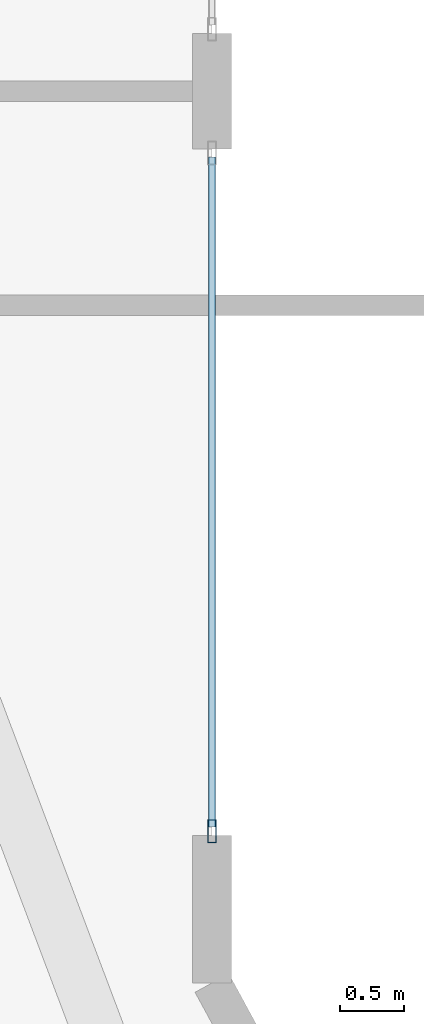
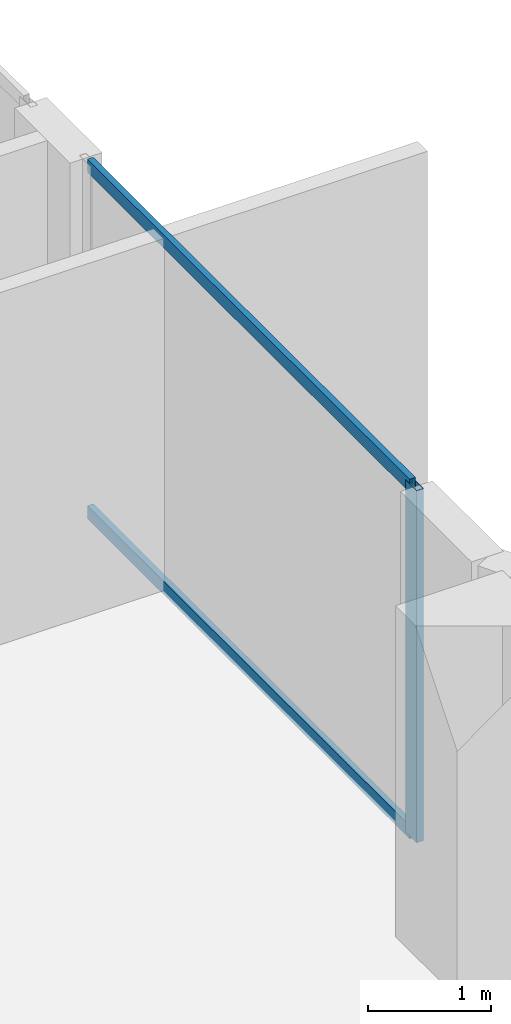
# One storey, part 12 of 28: 3 members, 1 element without a shape of its own.
"""IFC4 building model written with IfcOpenShell, lengths in metres."""

import ifcopenshell
import ifcopenshell.guid

model = None  # the IFC model being written
_history = None  # IfcOwnerHistory: only IFC2X3 demands one
_inside = {}  # id of a spatial element -> (the spatial element, [elements in it])
_under = {}  # id of a project, library or spatial element -> (it, [spatial elements below it])
_declared = {}  # id of a project -> (the project, [libraries it declares])
_typed = {}  # id of a type object -> (the type object, [elements of that type])
_made_of = {}  # id of a material, layer set ... -> (it, [elements and type objects made of it])


def new_model(schema):
    """Start an empty IFC model of exactly this schema.

    Asked for "IFC4X3", IfcOpenShell would pick the latest addendum, in which some entities
    have other attributes; the version numbers below select the first issue.
    IFC2X3 requires an IfcOwnerHistory on every rooted entity: one is made here for all.
    """
    global model, _history
    if schema == "IFC4X3":
        model = ifcopenshell.file(schema_version=(4, 3, 0, 0))
    else:
        model = ifcopenshell.file(schema=schema)
    _inside.clear()
    _under.clear()
    _declared.clear()
    _typed.clear()
    _made_of.clear()
    _history = None
    if model.schema == "IFC2X3":
        org = make("IfcOrganization", Name="unknown")
        user = make(
            "IfcPersonAndOrganization",
            ThePerson=make("IfcPerson", FamilyName="unknown"),
            TheOrganization=org,
        )
        app = make(
            "IfcApplication",
            ApplicationDeveloper=org,
            Version="unknown",
            ApplicationFullName="unknown",
            ApplicationIdentifier="unknown",
        )
        _history = make(
            "IfcOwnerHistory",
            OwningUser=user,
            OwningApplication=app,
            ChangeAction="ADDED",
            CreationDate=0,
        )
    return model


def make(cls, **values):
    """One entity of the class cls with the attributes given. An attribute that is None is left unset."""
    return model.create_entity(
        cls, **{name: value for name, value in values.items() if value is not None}
    )


def rooted(cls, **values):
    """An entity with a GlobalId (a new one), such as an element, a storey or a relation."""
    return make(cls, GlobalId=ifcopenshell.guid.new(), OwnerHistory=_history, **values)


def si_unit(unit_type, name, prefix=None):
    """IfcSIUnit, for example si_unit("LENGTHUNIT", "METRE", prefix="MILLI")."""
    return make("IfcSIUnit", UnitType=unit_type, Prefix=prefix, Name=name)


def assignment(units):
    """IfcUnitAssignment: the units of a project."""
    return None if units is None else make("IfcUnitAssignment", Units=units)


def point(xyz):
    """IfcCartesianPoint."""
    return None if xyz is None else make("IfcCartesianPoint", Coordinates=xyz)


def direction(xyz):
    """IfcDirection."""
    return None if xyz is None else make("IfcDirection", DirectionRatios=xyz)


def frame(location, z_axis=None, x_axis=None):
    """IfcAxis2Placement3D, a coordinate frame: its origin and axes. An axis left out is left unset."""
    return make(
        "IfcAxis2Placement3D",
        Location=point(location),
        Axis=direction(z_axis),
        RefDirection=direction(x_axis),
    )


def frame_2d(location, x_axis=None):
    """IfcAxis2Placement2D, a coordinate frame in the plane: its origin and x axis."""
    return make(
        "IfcAxis2Placement2D", Location=point(location), RefDirection=direction(x_axis)
    )


def origin():
    """The frame at (0, 0, 0) with its axes left unset."""
    return frame((0.0, 0.0, 0.0))


def origin_2d():
    """The frame at (0, 0) in the plane with its x axis left unset."""
    return frame_2d((0.0, 0.0))


def place(relative_to, where):
    """IfcLocalPlacement: puts the frame where relative to a parent placement (None: the world)."""
    return make(
        "IfcLocalPlacement", PlacementRelTo=relative_to, RelativePlacement=where
    )


def context(
    kind, dimensions, precision=None, world=None, true_north=None, identifier=None
):
    """IfcGeometricRepresentationContext, for example the 3D "Model" context."""
    return make(
        "IfcGeometricRepresentationContext",
        ContextIdentifier=identifier,
        ContextType=kind,
        CoordinateSpaceDimension=dimensions,
        Precision=precision,
        WorldCoordinateSystem=world,
        TrueNorth=true_north,
    )


def subcontext(parent, identifier, kind, view, scale=None):
    """IfcGeometricRepresentationSubContext, for example "Body" below "Model"."""
    return make(
        "IfcGeometricRepresentationSubContext",
        ContextIdentifier=identifier,
        ContextType=kind,
        ParentContext=parent,
        TargetScale=scale,
        TargetView=view,
    )


def project(units=None, contexts=None):
    """IfcProject with its units and contexts."""
    return rooted(
        "IfcProject",
        Name="project",
        RepresentationContexts=contexts,
        UnitsInContext=assignment(units),
    )


def spatial(cls, under=None, at=None, **own):
    """A site, building, storey or space (cls), placed at a placement, below another one or the project."""
    s = rooted(cls, ObjectPlacement=at, **own)
    if under is not None:
        _under.setdefault(under.id(), (under, []))[1].append(s)
    return s


def profile(cls, at=None, kind="AREA", **sizes):
    """A parametric profile (cls). Its sizes go by their IFC names, for example OverallWidth=200.0."""
    return make(cls, ProfileType=kind, Position=at, **sizes)


def hollow_rectangle(**sizes):
    """IfcRectangleHollowProfileDef."""
    return profile("IfcRectangleHollowProfileDef", **sizes)


def extrude(swept, where, along, depth):
    """IfcExtrudedAreaSolid: the profile swept, set in the frame where, extruded along a direction by depth."""
    return make(
        "IfcExtrudedAreaSolid",
        SweptArea=swept,
        Position=where,
        ExtrudedDirection=direction(along),
        Depth=depth,
    )


def shape(context_of_items, identifier, shape_type, items):
    """IfcShapeRepresentation: the items that make up one representation, for example the "Body"."""
    return make(
        "IfcShapeRepresentation",
        ContextOfItems=context_of_items,
        RepresentationIdentifier=identifier,
        RepresentationType=shape_type,
        Items=items,
    )


def material(Name=None, Category=None):
    """IfcMaterial."""
    return make("IfcMaterial", Name=Name, Category=Category)


def layer(
    of_material, thickness, ventilated=None, Name=None, Category=None, Priority=None
):
    """IfcMaterialLayer: one layer of a wall or slab, of a material (None: an air gap)."""
    return make(
        "IfcMaterialLayer",
        Material=of_material,
        LayerThickness=thickness,
        IsVentilated=ventilated,
        Name=Name,
        Category=Category,
        Priority=Priority,
    )


def layer_set(layers, Name=None):
    """IfcMaterialLayerSet."""
    return make("IfcMaterialLayerSet", MaterialLayers=layers, LayerSetName=Name)


def material_profile(
    of_material, cross_section, Name=None, Category=None, Priority=None
):
    """IfcMaterialProfile: a cross section and its material."""
    return make(
        "IfcMaterialProfile",
        Name=Name,
        Material=of_material,
        Profile=cross_section,
        Priority=Priority,
        Category=Category,
    )


def profile_set(profiles, Name=None, composite=None):
    """IfcMaterialProfileSet."""
    return make(
        "IfcMaterialProfileSet",
        Name=Name,
        MaterialProfiles=profiles,
        CompositeProfile=composite,
    )


def made_of(thing, what):
    """Note that an element or type object is made of a material, layer set ...; save() writes the relation."""
    if what is not None:
        _made_of.setdefault(what.id(), (what, []))[1].append(thing)
    return thing


def type_object(cls, material=None, **own):
    """A type object (cls), such as IfcWallType, which elements share."""
    return made_of(rooted(cls, **own), material)


def element(
    cls,
    number,
    at=None,
    inside=None,
    cuts=None,
    type_object=None,
    material=None,
    context=None,
    identifier="Body",
    shape_type=None,
    held_by="IfcProductDefinitionShape",
    body=None,
    shapes=None,
    **own,
):
    """One element of the class cls, such as IfcWall. Its Tag is "e" and its number.

    at: its placement. inside: the storey or other place that contains it. cuts: it is an
    opening in that element (IfcRelVoidsElement). A single representation is given by context,
    identifier, shape_type and body (its items); several are given by shapes. held_by: the class
    of the entity that holds the representations. save() writes the other relations.
    """
    e = rooted(cls, Tag="e%d" % number, ObjectPlacement=at, **own)
    if body is not None:
        shapes = [shape(context, identifier, shape_type, body)]
    if shapes is not None:
        e.Representation = make(held_by, Representations=shapes)
    if inside is not None:
        _inside.setdefault(inside.id(), (inside, []))[1].append(e)
    if cuts is not None:
        rooted(
            "IfcRelVoidsElement", RelatingBuildingElement=cuts, RelatedOpeningElement=e
        )
    if type_object is not None:
        _typed.setdefault(type_object.id(), (type_object, []))[1].append(e)
    return made_of(e, material)


def aggregate(whole, parts):
    """IfcRelAggregates: a whole, such as a stair, and the parts it consists of."""
    return rooted("IfcRelAggregates", RelatingObject=whole, RelatedObjects=parts)


def save(model, path):
    """Write the relations noted so far, then the file.

    IfcRelAggregates (storeys below a building ...), IfcRelContainedInSpatialStructure (elements
    in a storey), IfcRelDefinesByType, IfcRelAssociatesMaterial and IfcRelDeclares: one each for
    every whole, place, type object, material and project.
    """
    for whole, parts in _under.values():
        aggregate(whole, parts)
    for where, things in _inside.values():
        rooted(
            "IfcRelContainedInSpatialStructure",
            RelatedElements=things,
            RelatingStructure=where,
        )
    for kind, things in _typed.values():
        rooted("IfcRelDefinesByType", RelatedObjects=things, RelatingType=kind)
    for what, things in _made_of.values():
        rooted("IfcRelAssociatesMaterial", RelatedObjects=things, RelatingMaterial=what)
    for by, libraries in _declared.values():
        rooted("IfcRelDeclares", RelatingContext=by, RelatedDefinitions=libraries)
    model.write(path)


model = new_model("IFC4")

# Units and contexts
model_context = context("Model", 3, precision=1e-05, world=origin(), true_north=direction((0.0, 1.0)))
body_context = subcontext(model_context, "Body", "Model", "MODEL_VIEW")
ifc_project = project(units=[si_unit("LENGTHUNIT", "METRE"), si_unit("AREAUNIT", "SQUARE_METRE"), si_unit("VOLUMEUNIT", "CUBIC_METRE"), si_unit("PLANEANGLEUNIT", "RADIAN"), si_unit("MASSUNIT", "GRAM", prefix="KILO")], contexts=[model_context])

# Site, building, storey
site_placement = place(None, origin())
site = spatial("IfcSite", under=ifc_project, at=site_placement, CompositionType="ELEMENT")
building_placement = place(site_placement, origin())
building = spatial("IfcBuilding", under=site, at=building_placement, Name="Zuhayl Quay Hotel", CompositionType="ELEMENT")
storey_placement = place(building_placement, frame((0.0, 0.0, 239.64990234375)))
storey = spatial("IfcBuildingStorey", under=building, at=storey_placement, Name="L60", CompositionType="ELEMENT", Elevation=239.64990234375)

# Curtain wall, members
ifc_material_1 = material(Name="Anodised Aluminium 6063-T6", Category="aluminium")
ifc_layer = layer(ifc_material_1, 0.169921875, Name="Anodised Aluminium 6063-T6", Category="aluminium")
ifc_layer_set = layer_set([ifc_layer], Name="Anodised Aluminium 6063-T6")
curtain_wall_type = type_object("IfcCurtainWallType", Name="CW_SYS_Z4", PredefinedType="USERDEFINED", material=ifc_layer_set)
curtain_wall_placement = place(storey_placement, origin())
curtain_wall = element("IfcCurtainWall", 1, at=curtain_wall_placement, inside=storey, type_object=curtain_wall_type, Name="L60 Curtain Wall ENV_L60_E11_CW2", ObjectType="UNITISED CURTAIN WALL", PredefinedType="USERDEFINED")
ifc_material_2 = material(Name="Black-anodised aluminium 6063-T6", Category="aluminium")
ifc_material_profile_1 = material_profile(ifc_material_2, hollow_rectangle(XDim=0.06494140625, YDim=0.179931640625, WallThickness=0.00341796875, at=origin_2d()), Name="ALU180X65")
ifc_profile_set_1 = profile_set([ifc_material_profile_1], Name="Black-anodised aluminium 6063-T6")
member_type_1 = type_object("IfcMemberType", Name="MB_CW_MUL_180", PredefinedType="MULLION", material=ifc_profile_set_1)
member_1_placement = place(storey_placement, frame((20.199951171875, 25.282470703125, 0.0), z_axis=(0.0, 0.0, 1.0), x_axis=(1.0, 0.0, 0.0)))
member_1 = element("IfcMember", 2, at=member_1_placement, type_object=member_type_1, Name="CW-Z4 mullion 2", PredefinedType="MULLION", context=body_context, shape_type="SweptSolid", body=[
    extrude(hollow_rectangle(XDim=0.06494140625, YDim=0.179931640625, WallThickness=0.00341796875, at=origin_2d()), origin(), (0.0, 0.0, 1.0), 3.47998046875),
])
ifc_material_profile_2 = material_profile(ifc_material_2, hollow_rectangle(XDim=0.054931640625, YDim=0.1298828125, WallThickness=0.0029296875, at=origin_2d()), Name="ALU130X55")
ifc_profile_set_2 = profile_set([ifc_material_profile_2], Name="Black-anodised aluminium 6063-T6")
member_type_2 = type_object("IfcMemberType", Name="MB_CW_TRN_130", PredefinedType="USERDEFINED", material=ifc_profile_set_2)
member_2_placement = place(storey_placement, frame((20.199951171875, 30.534912109375, 0.027587890625), z_axis=(0.0, -1.0, 0.0), x_axis=(1.0, 0.0, 0.0)))
member_2 = element("IfcMember", 3, at=member_2_placement, type_object=member_type_2, Name="CW-Z4 transom 1.1", ObjectType="TRANSOM", PredefinedType="USERDEFINED", context=body_context, shape_type="SweptSolid", body=[
    extrude(hollow_rectangle(XDim=0.054931640625, YDim=0.1298828125, WallThickness=0.0029296875, at=origin_2d()), origin(), (0.0, 0.0, 1.0), 5.219970703125),
])
member_3_placement = place(storey_placement, frame((20.199951171875, 30.534912109375, 3.45263671875), z_axis=(0.0, -1.0, 0.0), x_axis=(1.0, 0.0, 0.0)))
member_3 = element("IfcMember", 4, at=member_3_placement, type_object=member_type_2, Name="CW-Z4 transom 1.2", ObjectType="TRANSOM", PredefinedType="USERDEFINED", context=body_context, shape_type="SweptSolid", body=[
    extrude(hollow_rectangle(XDim=0.054931640625, YDim=0.1298828125, WallThickness=0.0029296875, at=origin_2d()), origin(), (0.0, 0.0, 1.0), 5.219970703125),
])
aggregate(curtain_wall, [member_1, member_2, member_3])

save(model, "model.ifc")
